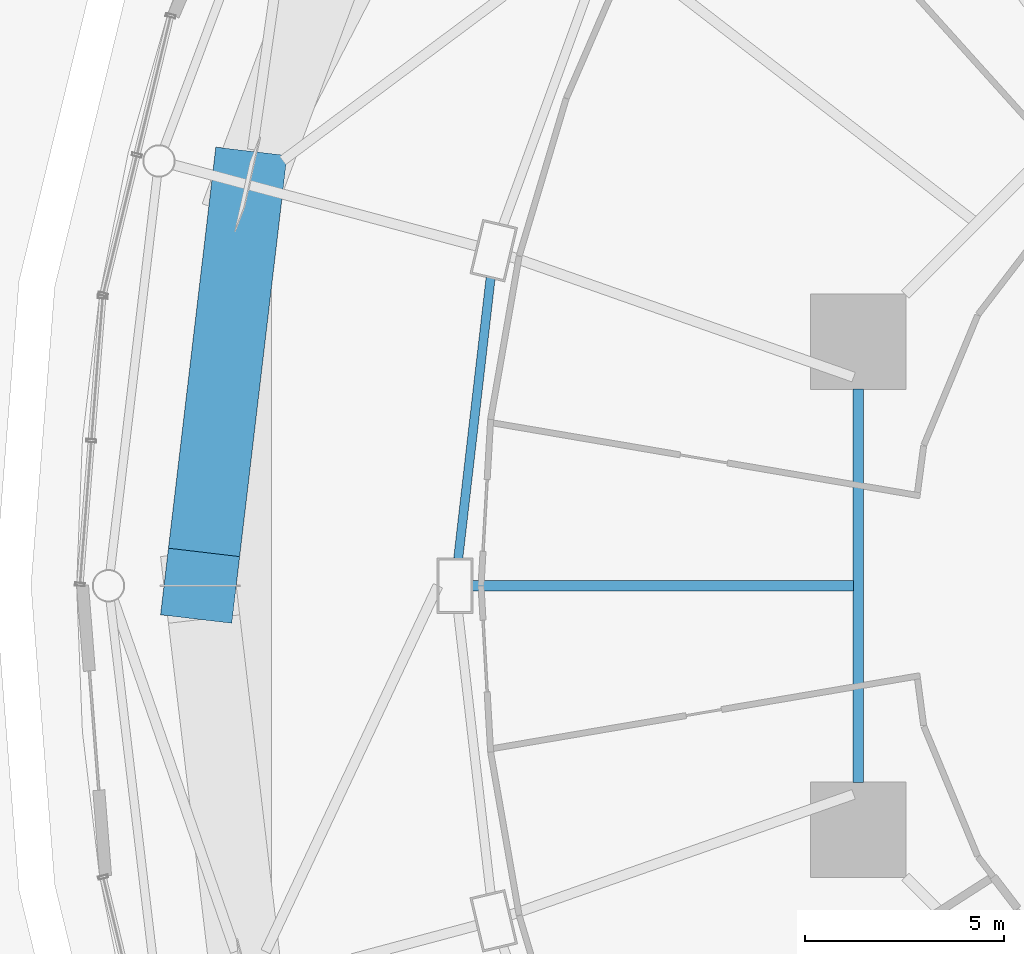
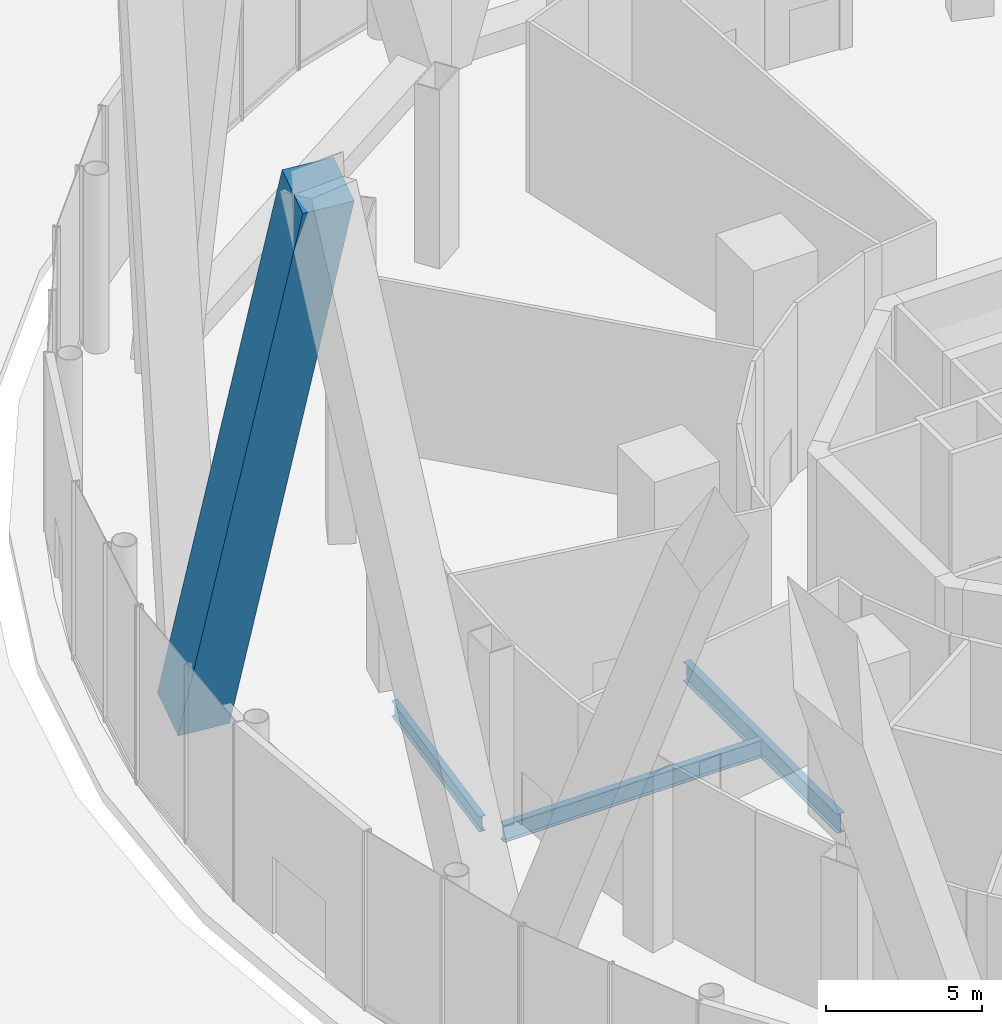
# One storey, part 25 of 67: 3 beams, 1 member.
"""IFC4 building model written with IfcOpenShell, lengths in metres."""

from ifc_helpers import new_model, si_unit, direction, frame, origin, origin_2d, place, context, subcontext, project, spatial, rectangle, i_section, extrude, material, material_profile, profile_set, type_object, element, save


model = new_model("IFC4")

# Units and contexts
model_context = context("Model", 3, precision=1e-05, world=origin(), true_north=direction((0.0, 1.0)))
body_context = subcontext(model_context, "Body", "Model", "MODEL_VIEW")
ifc_project = project(units=[si_unit("LENGTHUNIT", "METRE"), si_unit("AREAUNIT", "SQUARE_METRE"), si_unit("VOLUMEUNIT", "CUBIC_METRE"), si_unit("PLANEANGLEUNIT", "RADIAN"), si_unit("MASSUNIT", "GRAM", prefix="KILO")], contexts=[model_context])

# Site, building, storey
site_placement = place(None, origin())
site = spatial("IfcSite", under=ifc_project, at=site_placement, CompositionType="ELEMENT")
building_placement = place(site_placement, origin())
building = spatial("IfcBuilding", under=site, at=building_placement, Name="Nagisa Residences", CompositionType="ELEMENT")
storey_placement = place(building_placement, origin())
storey = spatial("IfcBuildingStorey", under=building, at=storey_placement, Name="L00", CompositionType="ELEMENT", Elevation=0.0)

# Member
ifc_material_1 = material(Name="Concrete C80", Category="concrete")
ifc_material_profile_1 = material_profile(ifc_material_1, rectangle(XDim=1.800048828125, YDim=1.800048828125, at=origin_2d()), Name="C80 1800x1800")
ifc_profile_set_1 = profile_set([ifc_material_profile_1], Name="Concrete C80")
member_type = type_object("IfcMemberType", Name="Cage diagonal 1 C80 1800x1800", PredefinedType="BRACE", material=ifc_profile_set_1)
member_placement = place(storey_placement, frame((-30.11083984375, 10.068115234375, 0.0), z_axis=(-0.041233826702, -0.349095007056, 0.936179709022), x_axis=(0.993096417331, -0.117300920217, 0.0)))
element("IfcMember", 1, at=member_placement, inside=storey, type_object=member_type, Name="mem:L00:cg1d012", PredefinedType="BRACE", context=body_context, shape_type="SweptSolid", body=[
    extrude(rectangle(XDim=1.800048828125, YDim=1.800048828125, at=origin_2d()), origin(), (0.0, 0.0, 1.0), 28.840576171875),
])

# Beams
ifc_material_2 = material(Name="Steel ASTM A572 Gr 50", Category="steel")
ifc_material_profile_2 = material_profile(ifc_material_2, i_section(OverallWidth=0.264892578125, OverallDepth=0.7529296875, WebThickness=0.01318359375, FlangeThickness=0.01708984375, at=origin_2d()), Name="W760x147")
ifc_profile_set_2 = profile_set([ifc_material_profile_2], Name="Steel ASTM A572 Gr 50")
beam_type_1 = type_object("IfcBeamType", Name="Inner ring beam W760x147", PredefinedType="BEAM", material=ifc_profile_set_2)
beam_1_placement = place(storey_placement, frame((-14.781982421875, 4.94287109375, -0.776611328125), z_axis=(0.0, -1.0, 0.0), x_axis=(1.0, 0.0, 0.0)))
element("IfcBeam", 2, at=beam_1_placement, inside=storey, type_object=beam_type_1, Name="beam:L00:ib4", PredefinedType="BEAM", context=body_context, shape_type="SweptSolid", body=[
    extrude(i_section(OverallWidth=0.264892578125, OverallDepth=0.7529296875, WebThickness=0.01318359375, FlangeThickness=0.01708984375, at=origin_2d()), origin(), (0.0, 0.0, 1.0), 9.8857421875),
])
ifc_material_3 = material(Name="Steel ASTM A572 Gr 50", Category="steel")
ifc_material_profile_3 = material_profile(ifc_material_3, i_section(OverallWidth=0.22802734375, OverallDepth=0.60302734375, WebThickness=0.010498046875, FlangeThickness=0.014892578125, at=origin_2d()), Name="W610x101")
ifc_profile_set_3 = profile_set([ifc_material_profile_3], Name="Steel ASTM A572 Gr 50")
beam_type_2 = type_object("IfcBeamType", Name="Perimeter ring beam W610x101", PredefinedType="BEAM", material=ifc_profile_set_3)
beam_2_placement = place(storey_placement, frame((-24.00732421875, 7.7314453125, -0.701416015625), z_axis=(-0.114707660057, -0.993399291687, 0.0), x_axis=(0.993399291687, -0.114707660057, 0.0)))
element("IfcBeam", 3, at=beam_2_placement, inside=storey, type_object=beam_type_2, Name="beam:L00:pb12", PredefinedType="BEAM", context=body_context, shape_type="SweptSolid", body=[
    extrude(i_section(OverallWidth=0.22802734375, OverallDepth=0.60302734375, WebThickness=0.010498046875, FlangeThickness=0.014892578125, at=origin_2d()), origin(), (0.0, 0.0, 1.0), 7.09814453125),
])
ifc_material_4 = material(Name="Steel ASTM A572 Gr 50", Category="steel")
ifc_material_profile_4 = material_profile(ifc_material_4, i_section(OverallWidth=0.25390625, OverallDepth=0.68408203125, WebThickness=0.012451171875, FlangeThickness=0.018798828125, at=origin_2d()), Name="W690x140")
ifc_profile_set_4 = profile_set([ifc_material_profile_4], Name="Steel ASTM A572 Gr 50")
beam_type_3 = type_object("IfcBeamType", Name="Radial beam W690x140", PredefinedType="BEAM", material=ifc_profile_set_4)
beam_3_placement = place(storey_placement, frame((-24.469970703125, 0.0, -0.741943359375), z_axis=(1.0, 0.0, 0.0), x_axis=(0.0, 1.0, 0.0)))
element("IfcBeam", 4, at=beam_3_placement, inside=storey, type_object=beam_type_3, Name="beam:L00:rb13", PredefinedType="BEAM", context=body_context, shape_type="SweptSolid", body=[
    extrude(i_section(OverallWidth=0.25390625, OverallDepth=0.68408203125, WebThickness=0.012451171875, FlangeThickness=0.018798828125, at=origin_2d()), origin(), (0.0, 0.0, 1.0), 9.575439453125),
])

save(model, "model.ifc")
